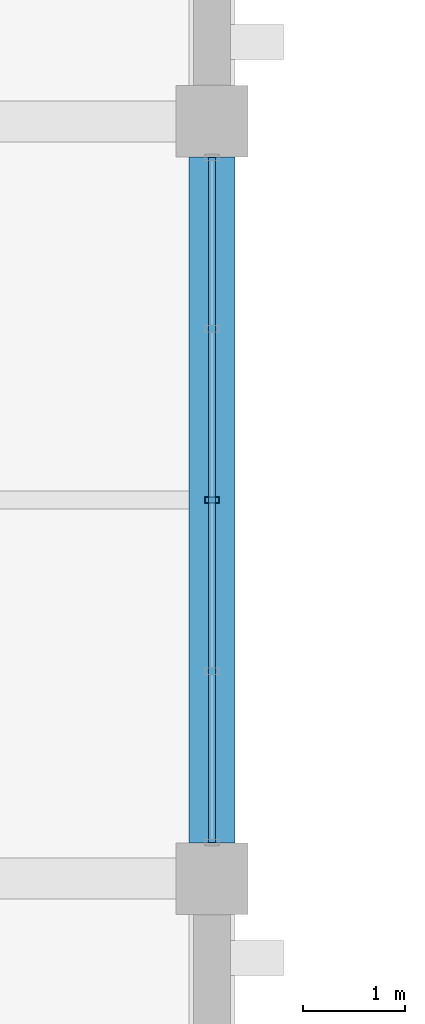
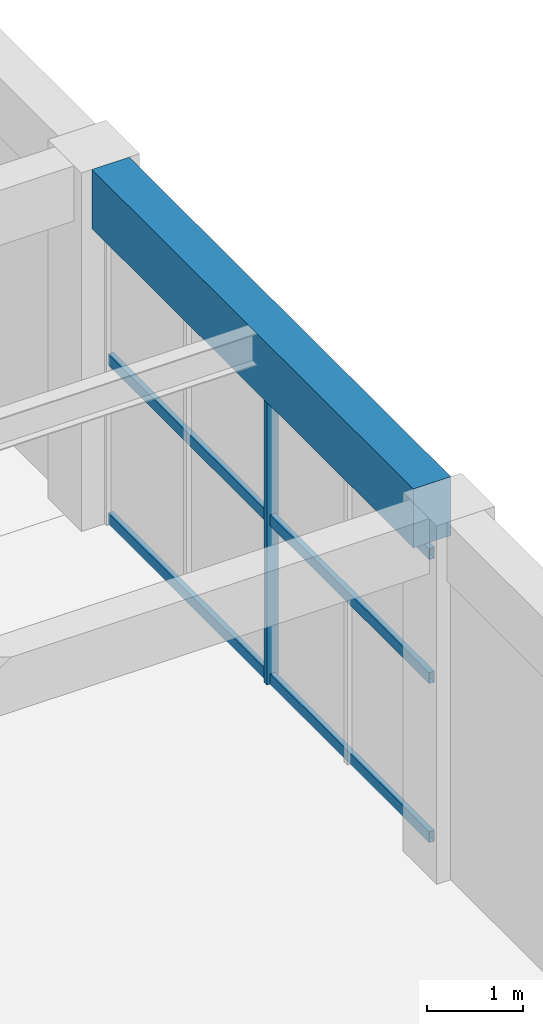
# One storey, part 17 of 161: 4 members, 1 beam, 1 element without a shape of its own.
"""IFC4 building model written with IfcOpenShell, lengths in metres."""

from ifc_helpers import new_model, si_unit, direction, frame, origin, origin_2d, place, context, subcontext, project, spatial, rectangle, hollow_rectangle, extrude, material, material_profile, profile_set, type_object, element, aggregate, save


model = new_model("IFC4")

# Units and contexts
model_context = context("Model", 3, precision=1e-05, world=origin(), true_north=direction((0.0, 1.0)))
body_context = subcontext(model_context, "Body", "Model", "MODEL_VIEW")
ifc_project = project(units=[si_unit("LENGTHUNIT", "METRE"), si_unit("AREAUNIT", "SQUARE_METRE"), si_unit("VOLUMEUNIT", "CUBIC_METRE"), si_unit("PLANEANGLEUNIT", "RADIAN"), si_unit("MASSUNIT", "GRAM", prefix="KILO")], contexts=[model_context])

# Site, building, storey
site_placement = place(None, origin())
site = spatial("IfcSite", under=ifc_project, at=site_placement, CompositionType="ELEMENT")
building_placement = place(site_placement, origin())
building = spatial("IfcBuilding", under=site, at=building_placement, Name="Cimatlan Art Gallery", CompositionType="ELEMENT")
storey_placement = place(building_placement, frame((0.0, 0.0, 5.39990234375)))
storey = spatial("IfcBuildingStorey", under=building, at=storey_placement, Name="L01", CompositionType="ELEMENT", Elevation=5.39990234375)

# Beam
ifc_material_1 = material(Name="Concrete C40/50", Category="concrete")
ifc_material_profile_1 = material_profile(ifc_material_1, rectangle(XDim=0.449951171875, YDim=0.75, at=origin_2d()), Name="RC450X750")
ifc_profile_set_1 = profile_set([ifc_material_profile_1], Name="Concrete C40/50")
beam_type = type_object("IfcBeamType", Name="BM-RC-450X750", PredefinedType="BEAM", material=ifc_profile_set_1)
beam_placement = place(storey_placement, frame((18.199951171875, 61.25, 4.18505859375), z_axis=(0.0, 1.0, 0.0), x_axis=(-1.0, 0.0, 0.0)))
element("IfcBeam", 1, at=beam_placement, inside=storey, type_object=beam_type, Name="BM-Y-L01-02-08", PredefinedType="BEAM", context=body_context, shape_type="SweptSolid", body=[
    extrude(rectangle(XDim=0.449951171875, YDim=0.75, at=origin_2d()), origin(), (0.0, 0.0, 1.0), 6.699951171875),
])

# Curtain wall, members
ifc_material_2 = material(Name="Anodised bronze unitised curtain wall")
curtain_wall_type = type_object("IfcCurtainWallType", Name="CW-V-06692X03720-B4", PredefinedType="NOTDEFINED", material=ifc_material_2)
curtain_wall_placement = place(storey_placement, origin())
curtain_wall = element("IfcCurtainWall", 2, at=curtain_wall_placement, inside=storey, type_object=curtain_wall_type, Name="CW-L01-01-08-E", PredefinedType="NOTDEFINED")
ifc_material_3 = material(Name="Anodised bronze aluminium 6063-T6", Category="aluminium")
ifc_material_profile_2 = material_profile(ifc_material_3, hollow_rectangle(XDim=0.06494140625, YDim=0.139892578125, WallThickness=0.00390625, at=origin_2d()), Name="ALU65X140X4")
ifc_profile_set_2 = profile_set([ifc_material_profile_2], Name="Anodised bronze aluminium 6063-T6")
member_type_1 = type_object("IfcMemberType", Name="CW-MUL-140", PredefinedType="MULLION", material=ifc_profile_set_2)
member_1_placement = place(storey_placement, frame((18.199951171875, 64.60009765625, 0.0), z_axis=(0.0, 0.0, 1.0), x_axis=(0.0, 1.0, 0.0)))
member_1 = element("IfcMember", 3, at=member_1_placement, type_object=member_type_1, Name="CW-L01-01-08-E-M3", PredefinedType="MULLION", context=body_context, shape_type="SweptSolid", body=[
    extrude(hollow_rectangle(XDim=0.06494140625, YDim=0.139892578125, WallThickness=0.00390625, at=origin_2d()), origin(), (0.0, 0.0, 1.0), 3.72021484375),
])
ifc_material_profile_3 = material_profile(ifc_material_3, hollow_rectangle(XDim=0.06494140625, YDim=0.139892578125, WallThickness=0.00390625, at=origin_2d()), Name="ALU65X140X4")
ifc_profile_set_3 = profile_set([ifc_material_profile_3], Name="Anodised bronze aluminium 6063-T6")
member_type_2 = type_object("IfcMemberType", Name="CW-TRN-140", PredefinedType="USERDEFINED", material=ifc_profile_set_3)
member_2_placement = place(storey_placement, frame((18.199951171875, 67.946044921875, 0.06005859375), z_axis=(0.0, -1.0, 0.0), x_axis=(1.0, 0.0, 0.0)))
member_2 = element("IfcMember", 4, at=member_2_placement, type_object=member_type_2, Name="CW-L01-01-08-E-T1", ObjectType="TRANSOM", PredefinedType="USERDEFINED", context=body_context, shape_type="SweptSolid", body=[
    extrude(hollow_rectangle(XDim=0.06494140625, YDim=0.139892578125, WallThickness=0.00390625, at=origin_2d()), origin(), (0.0, 0.0, 1.0), 6.692138671875),
])
member_3_placement = place(storey_placement, frame((18.199951171875, 67.946044921875, 2.083251953125), z_axis=(0.0, -1.0, 0.0), x_axis=(1.0, 0.0, 0.0)))
member_3 = element("IfcMember", 5, at=member_3_placement, type_object=member_type_2, Name="CW-L01-01-08-E-T2", ObjectType="TRANSOM", PredefinedType="USERDEFINED", context=body_context, shape_type="SweptSolid", body=[
    extrude(hollow_rectangle(XDim=0.06494140625, YDim=0.139892578125, WallThickness=0.00390625, at=origin_2d()), origin(), (0.0, 0.0, 1.0), 6.692138671875),
])
member_4_placement = place(storey_placement, frame((18.199951171875, 67.946044921875, 3.66015625), z_axis=(0.0, -1.0, 0.0), x_axis=(1.0, 0.0, 0.0)))
member_4 = element("IfcMember", 6, at=member_4_placement, type_object=member_type_2, Name="CW-L01-01-08-E-T3", ObjectType="TRANSOM", PredefinedType="USERDEFINED", context=body_context, shape_type="SweptSolid", body=[
    extrude(hollow_rectangle(XDim=0.06494140625, YDim=0.139892578125, WallThickness=0.00390625, at=origin_2d()), origin(), (0.0, 0.0, 1.0), 6.692138671875),
])
aggregate(curtain_wall, [member_1, member_2, member_3, member_4])

save(model, "model.ifc")
